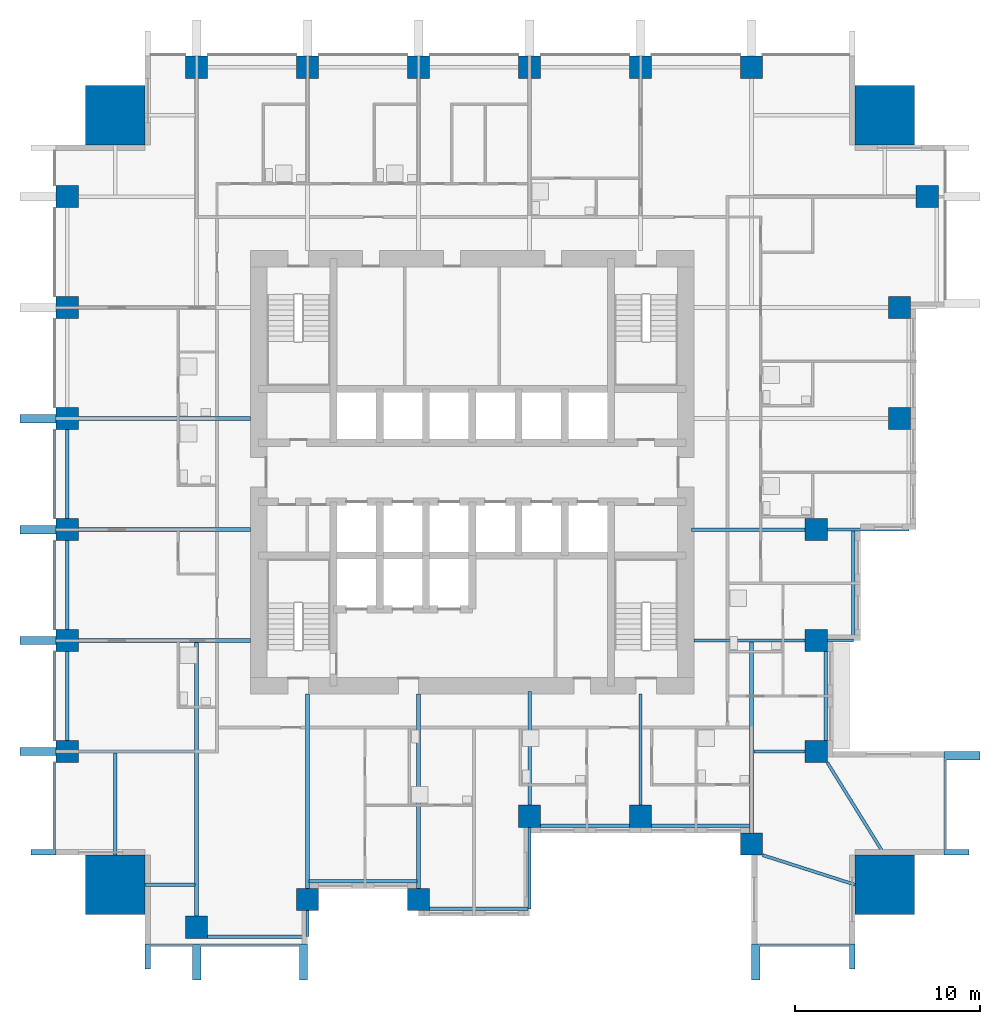
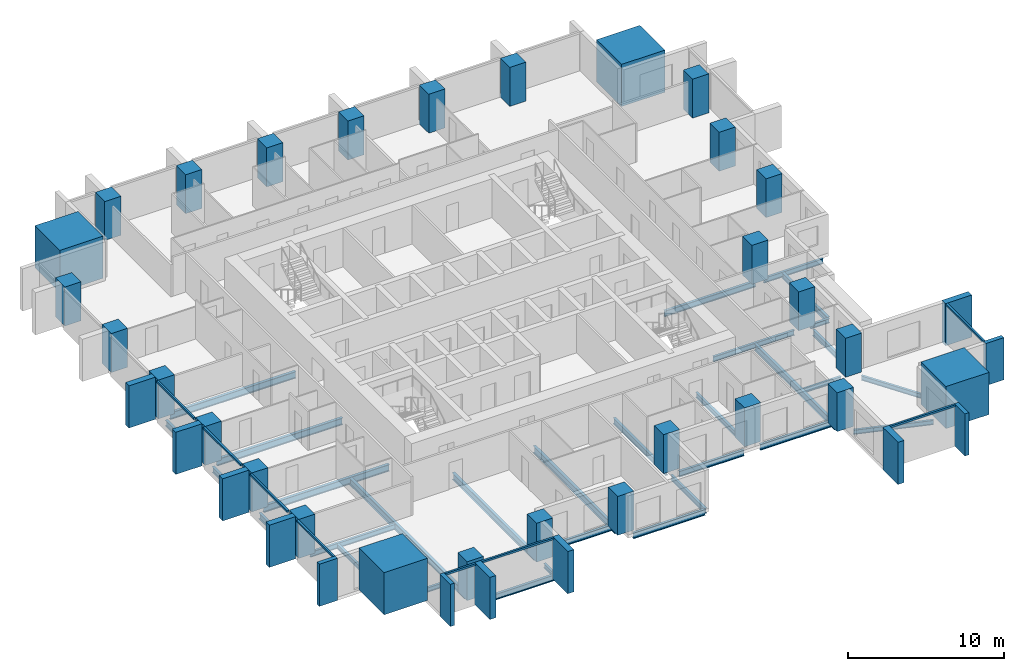
# One storey, part 1 of 10: 31 beams, 28 columns, 20 members, 4 elements without a shape of their own.
"""IFC4 building model written with IfcOpenShell, lengths in metres."""

from ifc_helpers import new_model, si_unit, direction, frame, origin, origin_2d, place, context, subcontext, project, spatial, rectangle, i_section, extrude, material, material_profile, profile_set, type_object, element, aggregate, save


model = new_model("IFC4")

# Units and contexts
model_context = context("Model", 3, precision=1e-05, world=origin(), true_north=direction((0.0, 1.0)))
body_context = subcontext(model_context, "Body", "Model", "MODEL_VIEW")
ifc_project = project(units=[si_unit("LENGTHUNIT", "METRE"), si_unit("AREAUNIT", "SQUARE_METRE"), si_unit("VOLUMEUNIT", "CUBIC_METRE"), si_unit("PLANEANGLEUNIT", "RADIAN"), si_unit("MASSUNIT", "GRAM", prefix="KILO")], contexts=[model_context])

# Site, building, storey
site_placement = place(None, origin())
site = spatial("IfcSite", under=ifc_project, at=site_placement, CompositionType="ELEMENT")
building_placement = place(site_placement, origin())
building = spatial("IfcBuilding", under=site, at=building_placement, Name="Amberfall Residences", CompositionType="ELEMENT")
storey_placement = place(building_placement, frame((0.0, 0.0, 46.60009765625)))
storey = spatial("IfcBuildingStorey", under=building, at=storey_placement, Name="L12", CompositionType="ELEMENT", Elevation=46.60009765625)

# Columns
ifc_material_1 = material(Name="Concrete C80", Category="concrete")
ifc_material_profile_1 = material_profile(ifc_material_1, rectangle(XDim=1.199951171875, YDim=1.199951171875, at=origin_2d()), Name="Column 1200 x 1200 C80")
ifc_profile_set_1 = profile_set([ifc_material_profile_1], Name="Concrete C80")
column_type_1 = type_object("IfcColumnType", Name="Column 1200 x 1200 C80", PredefinedType="COLUMN", material=ifc_profile_set_1)
for number, where, z_axis, x_axis, name in (
    (1, (59.60009765625, 20.89990234375, 0.0), (0.0, 0.0, 1.0), (1.0, 0.0, 0.0), "Column C1 L12 S1"),
    (2, (65.60009765625, 22.39990234375, 0.0), (0.0, 0.0, 1.0), (1.0, 0.0, 0.0), "Column C1 L12 S2"),
    (3, (71.60009765625, 22.39990234375, 0.0), (0.0, 0.0, 1.0), (1.0, 0.0, 0.0), "Column C1 L12 S3"),
    (4, (77.60009765625, 26.89990234375, 0.0), (0.0, 0.0, 1.0), (1.0, 0.0, 0.0), "Column C1 L12 S4"),
    (5, (83.60009765625, 26.89990234375, 0.0), (0.0, 0.0, 1.0), (1.0, 0.0, 0.0), "Column C1 L12 S5"),
    (6, (89.60009765625, 25.39990234375, 0.0), (0.0, 0.0, 1.0), (1.0, 0.0, 0.0), "Column C1 L12 S6"),
    (7, (93.10009765625, 30.39990234375, 0.0), (0.0, 0.0, 1.0), (1.0, 0.0, 0.0), "Column C1 L12 E1"),
    (8, (93.10009765625, 36.39990234375, 0.0), (0.0, 0.0, 1.0), (1.0, 0.0, 0.0), "Column C1 L12 E2"),
    (9, (93.10009765625, 42.39990234375, 0.0), (0.0, 0.0, 1.0), (1.0, 0.0, 0.0), "Column C1 L12 E3"),
    (10, (97.60009765625, 48.39990234375, 0.0), (0.0, 0.0, 1.0), (1.0, 0.0, 0.0), "Column C1 L12 E4"),
    (11, (97.60009765625, 54.39990234375, 0.0), (0.0, 0.0, 1.0), (1.0, 0.0, 0.0), "Column C1 L12 E5"),
    (12, (99.10009765625, 60.39990234375, 0.0), (0.0, 0.0, 1.0), (1.0, 0.0, 0.0), "Column C1 L12 E6"),
    (13, (59.60009765625, 67.39990234375, 0.0), (0.0, 0.0, 1.0), (1.0, 0.0, 0.0), "Column C1 L12 N1"),
    (14, (65.60009765625, 67.39990234375, 0.0), (0.0, 0.0, 1.0), (1.0, 0.0, 0.0), "Column C1 L12 N2"),
    (15, (71.60009765625, 67.39990234375, 0.0), (0.0, 0.0, 1.0), (1.0, 0.0, 0.0), "Column C1 L12 N3"),
    (16, (77.60009765625, 67.39990234375, 0.0), (0.0, 0.0, 1.0), (1.0, 0.0, 0.0), "Column C1 L12 N4"),
    (17, (83.60009765625, 67.39990234375, 0.0), (0.0, 0.0, 1.0), (1.0, 0.0, 0.0), "Column C1 L12 N5"),
    (18, (89.60009765625, 67.39990234375, 0.0), (0.0, 0.0, 1.0), (1.0, 0.0, 0.0), "Column C1 L12 N6"),
    (19, (52.60009765625, 30.39990234375, 0.0), (0.0, 0.0, 1.0), (1.0, 0.0, 0.0), "Column C1 L12 W1"),
    (20, (52.60009765625, 36.39990234375, 0.0), (0.0, 0.0, 1.0), (1.0, 0.0, 0.0), "Column C1 L12 W2"),
    (21, (52.60009765625, 42.39990234375, 0.0), (0.0, 0.0, 1.0), (1.0, 0.0, 0.0), "Column C1 L12 W3"),
    (22, (52.60009765625, 48.39990234375, 0.0), (0.0, 0.0, 1.0), (1.0, 0.0, 0.0), "Column C1 L12 W4"),
    (23, (52.60009765625, 54.39990234375, 0.0), (0.0, 0.0, 1.0), (1.0, 0.0, 0.0), "Column C1 L12 W5"),
    (24, (52.60009765625, 60.39990234375, 0.0), (0.0, 0.0, 1.0), (1.0, 0.0, 0.0), "Column C1 L12 W6"),
):
    element("IfcColumn", number, at=place(storey_placement, frame(where, z_axis=z_axis, x_axis=x_axis)), inside=storey, type_object=column_type_1, Name=name, PredefinedType="COLUMN", context=body_context, shape_type="SweptSolid", body=[
        extrude(rectangle(XDim=1.199951171875, YDim=1.199951171875, at=origin_2d()), origin(), (0.0, 0.0, 1.0), 3.0498046875),
    ])
ifc_material_profile_2 = material_profile(ifc_material_1, rectangle(XDim=3.199951171875, YDim=3.199951171875, at=origin_2d()), Name="Mega column 3200 x 3200 C80")
ifc_profile_set_2 = profile_set([ifc_material_profile_2], Name="Concrete C80")
column_type_2 = type_object("IfcColumnType", Name="Mega column 3200 x 3200 C80", PredefinedType="COLUMN", material=ifc_profile_set_2)
for number, where, z_axis, x_axis, name in (
    (25, (55.199951171875, 23.199951171875, 0.0), (0.0, 0.0, 1.0), (1.0, 0.0, 0.0), "Mega column MC1 L12 SW"),
    (26, (96.800048828125, 23.199951171875, 0.0), (0.0, 0.0, 1.0), (1.0, 0.0, 0.0), "Mega column MC1 L12 SE"),
    (27, (96.800048828125, 64.800048828125, 0.0), (0.0, 0.0, 1.0), (1.0, 0.0, 0.0), "Mega column MC1 L12 NE"),
    (28, (55.199951171875, 64.800048828125, 0.0), (0.0, 0.0, 1.0), (1.0, 0.0, 0.0), "Mega column MC1 L12 NW"),
):
    element("IfcColumn", number, at=place(storey_placement, frame(where, z_axis=z_axis, x_axis=x_axis)), inside=storey, type_object=column_type_2, Name=name, PredefinedType="COLUMN", context=body_context, shape_type="SweptSolid", body=[
        extrude(rectangle(XDim=3.199951171875, YDim=3.199951171875, at=origin_2d()), origin(), (0.0, 0.0, 1.0), 3.2998046875),
    ])

# Curtain wall, members
ifc_material_2 = material(Name="Bronze anodised aluminium and glass", Category="aluminium")
curtain_wall_type = type_object("IfcCurtainWallType", Name="Curtain wall CW1 tower unit", PredefinedType="USERDEFINED", material=ifc_material_2)
curtain_wall_1_placement = place(storey_placement, origin())
curtain_wall_1 = element("IfcCurtainWall", 29, at=curtain_wall_1_placement, inside=storey, type_object=curtain_wall_type, Name="Curtain wall L12 S S1", ObjectType="UNITISED CURTAIN WALL", PredefinedType="USERDEFINED")
ifc_material_3 = material(Name="Bronze anodised aluminium", Category="aluminium")
ifc_material_profile_3 = material_profile(ifc_material_3, rectangle(XDim=0.14990234375, YDim=0.14990234375, at=origin_2d()), Name="CW1 transom 150 x 150 bronze")
ifc_profile_set_3 = profile_set([ifc_material_profile_3], Name="Bronze anodised aluminium")
member_type_1 = type_object("IfcMemberType", Name="CW1 transom 150 x 150 bronze", PredefinedType="USERDEFINED", material=ifc_profile_set_3)
member_1_placement = place(storey_placement, frame((57.10009765625, 19.925048828125, 2.974853515625), z_axis=(1.0, 0.0, 0.0), x_axis=(0.0, 1.0, 0.0)))
member_1 = element("IfcMember", 30, at=member_1_placement, type_object=member_type_1, Name="CW1 transom 1.1", ObjectType="TRANSOM", PredefinedType="USERDEFINED", context=body_context, shape_type="SweptSolid", body=[
    extrude(rectangle(XDim=0.14990234375, YDim=0.14990234375, at=origin_2d()), origin(), (0.0, 0.0, 1.0), 2.27490234375),
])
member_2_placement = place(storey_placement, frame((59.824951171875, 19.925048828125, 2.974853515625), z_axis=(1.0, 0.0, 0.0), x_axis=(0.0, 1.0, 0.0)))
member_2 = element("IfcMember", 31, at=member_2_placement, type_object=member_type_1, Name="CW1 transom 2.1", ObjectType="TRANSOM", PredefinedType="USERDEFINED", context=body_context, shape_type="SweptSolid", body=[
    extrude(rectangle(XDim=0.14990234375, YDim=0.14990234375, at=origin_2d()), origin(), (0.0, 0.0, 1.0), 5.324951171875),
])

# Curtain wall, member
curtain_wall_2_placement = place(storey_placement, origin())
curtain_wall_2 = element("IfcCurtainWall", 32, at=curtain_wall_2_placement, inside=storey, type_object=curtain_wall_type, Name="Curtain wall L12 S S10", ObjectType="UNITISED CURTAIN WALL", PredefinedType="USERDEFINED")
member_3_placement = place(storey_placement, frame((90.050048828125, 19.925048828125, 2.974853515625), z_axis=(1.0, 0.0, 0.0), x_axis=(0.0, 1.0, 0.0)))
member_3 = element("IfcMember", 33, at=member_3_placement, type_object=member_type_1, Name="CW1 transom 1.1", ObjectType="TRANSOM", PredefinedType="USERDEFINED", context=body_context, shape_type="SweptSolid", body=[
    extrude(rectangle(XDim=0.14990234375, YDim=0.14990234375, at=origin_2d()), origin(), (0.0, 0.0, 1.0), 4.849853515625),
])

curtain_wall_3_placement = place(storey_placement, origin())
curtain_wall_3 = element("IfcCurtainWall", 34, at=curtain_wall_3_placement, inside=storey, type_object=curtain_wall_type, Name="Curtain wall L12 E E1", ObjectType="UNITISED CURTAIN WALL", PredefinedType="USERDEFINED")
member_4_placement = place(storey_placement, frame((100.074951171875, 25.10009765625, 2.974853515625), z_axis=(0.0, 1.0, 0.0), x_axis=(-1.0, 0.0, 0.0)))
member_4 = element("IfcMember", 35, at=member_4_placement, type_object=member_type_1, Name="CW1 transom 1.1", ObjectType="TRANSOM", PredefinedType="USERDEFINED", context=body_context, shape_type="SweptSolid", body=[
    extrude(rectangle(XDim=0.14990234375, YDim=0.14990234375, at=origin_2d()), origin(), (0.0, 0.0, 1.0), 4.849853515625),
])

# Curtain wall, members
curtain_wall_4_placement = place(storey_placement, origin())
curtain_wall_4 = element("IfcCurtainWall", 36, at=curtain_wall_4_placement, inside=storey, type_object=curtain_wall_type, Name="Curtain wall L12 W W1", ObjectType="UNITISED CURTAIN WALL", PredefinedType="USERDEFINED")
member_5_placement = place(storey_placement, frame((51.925048828125, 47.794921875, 2.974853515625), z_axis=(0.0, -1.0, 0.0), x_axis=(1.0, 0.0, 0.0)))
member_5 = element("IfcMember", 37, at=member_5_placement, type_object=member_type_1, Name="CW1 transom 4.1", ObjectType="TRANSOM", PredefinedType="USERDEFINED", context=body_context, shape_type="SweptSolid", body=[
    extrude(rectangle(XDim=0.14990234375, YDim=0.14990234375, at=origin_2d()), origin(), (0.0, 0.0, 1.0), 4.7900390625),
])
member_6_placement = place(storey_placement, frame((51.925048828125, 41.794921875, 2.974853515625), z_axis=(0.0, -1.0, 0.0), x_axis=(1.0, 0.0, 0.0)))
member_6 = element("IfcMember", 38, at=member_6_placement, type_object=member_type_1, Name="CW1 transom 5.1", ObjectType="TRANSOM", PredefinedType="USERDEFINED", context=body_context, shape_type="SweptSolid", body=[
    extrude(rectangle(XDim=0.14990234375, YDim=0.14990234375, at=origin_2d()), origin(), (0.0, 0.0, 1.0), 4.7900390625),
])
member_7_placement = place(storey_placement, frame((51.925048828125, 35.794921875, 2.974853515625), z_axis=(0.0, -1.0, 0.0), x_axis=(1.0, 0.0, 0.0)))
member_7 = element("IfcMember", 39, at=member_7_placement, type_object=member_type_1, Name="CW1 transom 6.1", ObjectType="TRANSOM", PredefinedType="USERDEFINED", context=body_context, shape_type="SweptSolid", body=[
    extrude(rectangle(XDim=0.14990234375, YDim=0.14990234375, at=origin_2d()), origin(), (0.0, 0.0, 1.0), 4.7900390625),
])
member_8_placement = place(storey_placement, frame((51.925048828125, 29.794921875, 2.974853515625), z_axis=(0.0, -1.0, 0.0), x_axis=(1.0, 0.0, 0.0)))
member_8 = element("IfcMember", 40, at=member_8_placement, type_object=member_type_1, Name="CW1 transom 7.1", ObjectType="TRANSOM", PredefinedType="USERDEFINED", context=body_context, shape_type="SweptSolid", body=[
    extrude(rectangle(XDim=0.14990234375, YDim=0.14990234375, at=origin_2d()), origin(), (0.0, 0.0, 1.0), 4.69482421875),
])

# Beams
ifc_material_4 = material(Name="Steel S355", Category="steel")
ifc_material_profile_4 = material_profile(ifc_material_4, i_section(OverallWidth=0.171142578125, OverallDepth=0.351318359375, WebThickness=0.007080078125, FlangeThickness=0.009765625, FilletRadius=0.01025390625, at=origin_2d()), Name="UB 356x171x45")
ifc_profile_set_4 = profile_set([ifc_material_profile_4], Name="Steel S355")
beam_type_1 = type_object("IfcBeamType", Name="Cantilever girder UB 356x171x45", PredefinedType="BEAM", material=ifc_profile_set_4)
for number, where, z_axis, x_axis, name in (
    (41, (65.60009765625, 21.800048828125, -0.42578125), (0.0, -1.0, 0.0), (1.0, 0.0, 0.0), "Cantilever girder B8 L12 06"),
    (42, (93.699951171875, 36.39990234375, -0.42578125), (1.0, 0.0, 0.0), (0.0, 1.0, 0.0), "Cantilever girder B8 L12 19"),
):
    element("IfcBeam", number, at=place(storey_placement, frame(where, z_axis=z_axis, x_axis=x_axis)), inside=storey, type_object=beam_type_1, Name=name, PredefinedType="BEAM", context=body_context, shape_type="SweptSolid", body=[
        extrude(i_section(OverallWidth=0.171142578125, OverallDepth=0.351318359375, WebThickness=0.007080078125, FlangeThickness=0.009765625, FilletRadius=0.01025390625, at=origin_2d()), origin(), (0.0, 0.0, 1.0), 1.400146484375),
    ])
ifc_material_profile_5 = material_profile(ifc_material_4, i_section(OverallWidth=0.177734375, OverallDepth=0.402587890625, WebThickness=0.0078125, FlangeThickness=0.010986328125, FilletRadius=0.01025390625, at=origin_2d()), Name="UB 406x178x54")
ifc_profile_set_5 = profile_set([ifc_material_profile_5], Name="Steel S355")
beam_type_2 = type_object("IfcBeamType", Name="Cantilever girder UB 406x178x54", PredefinedType="BEAM", material=ifc_profile_set_5)
for number, where, z_axis, x_axis, name in (
    (43, (77.60009765625, 26.300048828125, -0.451416015625), (0.0, -1.0, 0.0), (1.0, 0.0, 0.0), "Cantilever girder B9 L12 07"),
    (44, (93.699951171875, 42.39990234375, -0.451416015625), (1.0, 0.0, 0.0), (0.0, 1.0, 0.0), "Cantilever girder B9 L12 20"),
):
    element("IfcBeam", number, at=place(storey_placement, frame(where, z_axis=z_axis, x_axis=x_axis)), inside=storey, type_object=beam_type_2, Name=name, PredefinedType="BEAM", context=body_context, shape_type="SweptSolid", body=[
        extrude(i_section(OverallWidth=0.177734375, OverallDepth=0.402587890625, WebThickness=0.0078125, FlangeThickness=0.010986328125, FilletRadius=0.01025390625, at=origin_2d()), origin(), (0.0, 0.0, 1.0), 4.400146484375),
    ])

# Member
ifc_material_profile_6 = material_profile(ifc_material_3, rectangle(XDim=1.35009765625, YDim=0.300048828125, at=origin_2d()), Name="Corner fin 300 x 1350 bronze")
ifc_profile_set_6 = profile_set([ifc_material_profile_6], Name="Bronze anodised aluminium")
member_type_2 = type_object("IfcMemberType", Name="Corner fin 300 x 1350 bronze", PredefinedType="MULLION", material=ifc_profile_set_6)
member_9_placement = place(storey_placement, frame((56.949951171875, 19.324951171875, -0.25), z_axis=(0.0, 0.0, 1.0), x_axis=(0.0, 1.0, 0.0)))
member_9 = element("IfcMember", 45, at=member_9_placement, type_object=member_type_2, Name="CW FIN 1", PredefinedType="MULLION", context=body_context, shape_type="SweptSolid", body=[
    extrude(rectangle(XDim=1.35009765625, YDim=0.300048828125, at=origin_2d()), origin(), (0.0, 0.0, 1.0), 3.2998046875),
])

member_10_placement = place(storey_placement, frame((95.050048828125, 19.324951171875, -0.25), z_axis=(0.0, 0.0, 1.0), x_axis=(0.0, 1.0, 0.0)))
member_10 = element("IfcMember", 46, at=member_10_placement, type_object=member_type_2, Name="CW FIN 2", PredefinedType="MULLION", context=body_context, shape_type="SweptSolid", body=[
    extrude(rectangle(XDim=1.35009765625, YDim=0.300048828125, at=origin_2d()), origin(), (0.0, 0.0, 1.0), 3.2998046875),
])

member_11_placement = place(storey_placement, frame((100.675048828125, 24.949951171875, -0.25), z_axis=(0.0, 0.0, 1.0), x_axis=(-1.0, 0.0, 0.0)))
member_11 = element("IfcMember", 47, at=member_11_placement, type_object=member_type_2, Name="CW FIN 1", PredefinedType="MULLION", context=body_context, shape_type="SweptSolid", body=[
    extrude(rectangle(XDim=1.35009765625, YDim=0.300048828125, at=origin_2d()), origin(), (0.0, 0.0, 1.0), 3.2998046875),
])

member_12_placement = place(storey_placement, frame((51.324951171875, 24.949951171875, -0.25), z_axis=(0.0, 0.0, 1.0), x_axis=(1.0, 0.0, 0.0)))
member_12 = element("IfcMember", 48, at=member_12_placement, type_object=member_type_2, Name="CW FIN 8", PredefinedType="MULLION", context=body_context, shape_type="SweptSolid", body=[
    extrude(rectangle(XDim=1.35009765625, YDim=0.300048828125, at=origin_2d()), origin(), (0.0, 0.0, 1.0), 3.2998046875),
])

# Beams
ifc_material_profile_7 = material_profile(ifc_material_4, i_section(OverallWidth=0.18994140625, OverallDepth=0.453369140625, WebThickness=0.008544921875, FlangeThickness=0.0126953125, FilletRadius=0.01025390625, at=origin_2d()), Name="UB 457x191x67")
ifc_profile_set_7 = profile_set([ifc_material_profile_7], Name="Steel S355")
beam_type_3 = type_object("IfcBeamType", Name="Edge beam UB 457x191x67", PredefinedType="SPANDREL", material=ifc_profile_set_7)
beam_1_placement = place(storey_placement, frame((60.199951171875, 20.39990234375, -0.476806640625), z_axis=(1.0, 0.0, 0.0), x_axis=(0.0, 1.0, 0.0)))
element("IfcBeam", 49, at=beam_1_placement, inside=storey, type_object=beam_type_3, Name="Edge beam B1 L12 01", PredefinedType="SPANDREL", context=body_context, shape_type="SweptSolid", body=[
    extrude(i_section(OverallWidth=0.18994140625, OverallDepth=0.453369140625, WebThickness=0.008544921875, FlangeThickness=0.0126953125, FilletRadius=0.01025390625, at=origin_2d()), origin(), (0.0, 0.0, 1.0), 5.320068359375),
])
beam_2_placement = place(storey_placement, frame((65.679931640625, 23.39990234375, -0.476806640625), z_axis=(1.0, 0.0, 0.0), x_axis=(0.0, 1.0, 0.0)))
element("IfcBeam", 50, at=beam_2_placement, inside=storey, type_object=beam_type_3, Name="Edge beam B1 L12 02", PredefinedType="SPANDREL", context=body_context, shape_type="SweptSolid", body=[
    extrude(i_section(OverallWidth=0.18994140625, OverallDepth=0.453369140625, WebThickness=0.008544921875, FlangeThickness=0.0126953125, FilletRadius=0.01025390625, at=origin_2d()), origin(), (0.0, 0.0, 1.0), 5.840087890625),
])
beam_3_placement = place(storey_placement, frame((72.199951171875, 21.89990234375, -0.476806640625), z_axis=(1.0, 0.0, 0.0), x_axis=(0.0, 1.0, 0.0)))
element("IfcBeam", 51, at=beam_3_placement, inside=storey, type_object=beam_type_3, Name="Edge beam B1 L12 03", PredefinedType="SPANDREL", context=body_context, shape_type="SweptSolid", body=[
    extrude(i_section(OverallWidth=0.18994140625, OverallDepth=0.453369140625, WebThickness=0.008544921875, FlangeThickness=0.0126953125, FilletRadius=0.01025390625, at=origin_2d()), origin(), (0.0, 0.0, 1.0), 5.320068359375),
])
beam_4_placement = place(storey_placement, frame((78.199951171875, 26.39990234375, -0.476806640625), z_axis=(1.0, 0.0, 0.0), x_axis=(0.0, 1.0, 0.0)))
element("IfcBeam", 52, at=beam_4_placement, inside=storey, type_object=beam_type_3, Name="Edge beam B1 L12 04", PredefinedType="SPANDREL", context=body_context, shape_type="SweptSolid", body=[
    extrude(i_section(OverallWidth=0.18994140625, OverallDepth=0.453369140625, WebThickness=0.008544921875, FlangeThickness=0.0126953125, FilletRadius=0.01025390625, at=origin_2d()), origin(), (0.0, 0.0, 1.0), 4.800048828125),
])
beam_5_placement = place(storey_placement, frame((84.199951171875, 26.39990234375, -0.476806640625), z_axis=(1.0, 0.0, 0.0), x_axis=(0.0, 1.0, 0.0)))
element("IfcBeam", 53, at=beam_5_placement, inside=storey, type_object=beam_type_3, Name="Edge beam B1 L12 05", PredefinedType="SPANDREL", context=body_context, shape_type="SweptSolid", body=[
    extrude(i_section(OverallWidth=0.18994140625, OverallDepth=0.453369140625, WebThickness=0.008544921875, FlangeThickness=0.0126953125, FilletRadius=0.01025390625, at=origin_2d()), origin(), (0.0, 0.0, 1.0), 5.320068359375),
])
beam_6_placement = place(storey_placement, frame((93.60009765625, 31.0, -0.476806640625), z_axis=(0.0, 1.0, 0.0), x_axis=(-1.0, 0.0, 0.0)))
element("IfcBeam", 54, at=beam_6_placement, inside=storey, type_object=beam_type_3, Name="Edge beam B1 L12 14", PredefinedType="SPANDREL", context=body_context, shape_type="SweptSolid", body=[
    extrude(i_section(OverallWidth=0.18994140625, OverallDepth=0.453369140625, WebThickness=0.008544921875, FlangeThickness=0.0126953125, FilletRadius=0.01025390625, at=origin_2d()), origin(), (0.0, 0.0, 1.0), 4.800048828125),
])
beam_7_placement = place(storey_placement, frame((95.10009765625, 36.47998046875, -0.476806640625), z_axis=(0.0, 1.0, 0.0), x_axis=(-1.0, 0.0, 0.0)))
element("IfcBeam", 55, at=beam_7_placement, inside=storey, type_object=beam_type_3, Name="Edge beam B1 L12 15", PredefinedType="SPANDREL", context=body_context, shape_type="SweptSolid", body=[
    extrude(i_section(OverallWidth=0.18994140625, OverallDepth=0.453369140625, WebThickness=0.008544921875, FlangeThickness=0.0126953125, FilletRadius=0.01025390625, at=origin_2d()), origin(), (0.0, 0.0, 1.0), 5.840087890625),
])
for number, where, z_axis, x_axis, name in (
    (56, (52.60009765625, 31.0, -0.476806640625), (0.0, 1.0, 0.0), (-1.0, 0.0, 0.0), "Edge beam B1 L12 39"),
    (57, (52.60009765625, 37.0, -0.476806640625), (0.0, 1.0, 0.0), (-1.0, 0.0, 0.0), "Edge beam B1 L12 40"),
    (58, (52.60009765625, 43.0, -0.476806640625), (0.0, 1.0, 0.0), (-1.0, 0.0, 0.0), "Edge beam B1 L12 41"),
):
    element("IfcBeam", number, at=place(storey_placement, frame(where, z_axis=z_axis, x_axis=x_axis)), inside=storey, type_object=beam_type_3, Name=name, PredefinedType="SPANDREL", context=body_context, shape_type="SweptSolid", body=[
        extrude(i_section(OverallWidth=0.18994140625, OverallDepth=0.453369140625, WebThickness=0.008544921875, FlangeThickness=0.0126953125, FilletRadius=0.01025390625, at=origin_2d()), origin(), (0.0, 0.0, 1.0), 4.800048828125),
    ])

# Member
ifc_material_profile_8 = material_profile(ifc_material_3, rectangle(XDim=1.949951171875, YDim=0.449951171875, at=origin_2d()), Name="Fin 450 x 1950 bronze")
ifc_profile_set_8 = profile_set([ifc_material_profile_8], Name="Bronze anodised aluminium")
member_type_3 = type_object("IfcMemberType", Name="Fin 450 x 1950 bronze", PredefinedType="MULLION", material=ifc_profile_set_8)
member_13_placement = place(storey_placement, frame((59.60009765625, 19.02490234375, -0.25), z_axis=(0.0, 0.0, 1.0), x_axis=(0.0, 1.0, 0.0)))
member_13 = element("IfcMember", 59, at=member_13_placement, type_object=member_type_3, Name="CW FIN 2", PredefinedType="MULLION", context=body_context, shape_type="SweptSolid", body=[
    extrude(rectangle(XDim=1.949951171875, YDim=0.449951171875, at=origin_2d()), origin(), (0.0, 0.0, 1.0), 3.2998046875),
])

member_14_placement = place(storey_placement, frame((65.375, 19.02490234375, -0.25), z_axis=(0.0, 0.0, 1.0), x_axis=(0.0, 1.0, 0.0)))
member_14 = element("IfcMember", 60, at=member_14_placement, type_object=member_type_3, Name="CW FIN 3", PredefinedType="MULLION", context=body_context, shape_type="SweptSolid", body=[
    extrude(rectangle(XDim=1.949951171875, YDim=0.449951171875, at=origin_2d()), origin(), (0.0, 0.0, 1.0), 3.2998046875),
])

aggregate(curtain_wall_1, [member_9, member_13, member_14, member_1, member_2])

member_15_placement = place(storey_placement, frame((89.824951171875, 19.02490234375, -0.25), z_axis=(0.0, 0.0, 1.0), x_axis=(0.0, 1.0, 0.0)))
member_15 = element("IfcMember", 61, at=member_15_placement, type_object=member_type_3, Name="CW FIN 1", PredefinedType="MULLION", context=body_context, shape_type="SweptSolid", body=[
    extrude(rectangle(XDim=1.949951171875, YDim=0.449951171875, at=origin_2d()), origin(), (0.0, 0.0, 1.0), 3.2998046875),
])

aggregate(curtain_wall_2, [member_15, member_10, member_3])

member_16_placement = place(storey_placement, frame((100.97509765625, 30.175048828125, -0.25), z_axis=(0.0, 0.0, 1.0), x_axis=(-1.0, 0.0, 0.0)))
member_16 = element("IfcMember", 62, at=member_16_placement, type_object=member_type_3, Name="CW FIN 2", PredefinedType="MULLION", context=body_context, shape_type="SweptSolid", body=[
    extrude(rectangle(XDim=1.949951171875, YDim=0.449951171875, at=origin_2d()), origin(), (0.0, 0.0, 1.0), 3.2998046875),
])

aggregate(curtain_wall_3, [member_11, member_16, member_4])

member_17_placement = place(storey_placement, frame((51.02490234375, 48.39990234375, -0.25), z_axis=(0.0, 0.0, 1.0), x_axis=(1.0, 0.0, 0.0)))
member_17 = element("IfcMember", 63, at=member_17_placement, type_object=member_type_3, Name="CW FIN 4", PredefinedType="MULLION", context=body_context, shape_type="SweptSolid", body=[
    extrude(rectangle(XDim=1.949951171875, YDim=0.449951171875, at=origin_2d()), origin(), (0.0, 0.0, 1.0), 3.2998046875),
])

member_18_placement = place(storey_placement, frame((51.02490234375, 42.39990234375, -0.25), z_axis=(0.0, 0.0, 1.0), x_axis=(1.0, 0.0, 0.0)))
member_18 = element("IfcMember", 64, at=member_18_placement, type_object=member_type_3, Name="CW FIN 5", PredefinedType="MULLION", context=body_context, shape_type="SweptSolid", body=[
    extrude(rectangle(XDim=1.949951171875, YDim=0.449951171875, at=origin_2d()), origin(), (0.0, 0.0, 1.0), 3.2998046875),
])

member_19_placement = place(storey_placement, frame((51.02490234375, 36.39990234375, -0.25), z_axis=(0.0, 0.0, 1.0), x_axis=(1.0, 0.0, 0.0)))
member_19 = element("IfcMember", 65, at=member_19_placement, type_object=member_type_3, Name="CW FIN 6", PredefinedType="MULLION", context=body_context, shape_type="SweptSolid", body=[
    extrude(rectangle(XDim=1.949951171875, YDim=0.449951171875, at=origin_2d()), origin(), (0.0, 0.0, 1.0), 3.2998046875),
])

member_20_placement = place(storey_placement, frame((51.02490234375, 30.39990234375, -0.25), z_axis=(0.0, 0.0, 1.0), x_axis=(1.0, 0.0, 0.0)))
member_20 = element("IfcMember", 66, at=member_20_placement, type_object=member_type_3, Name="CW FIN 7", PredefinedType="MULLION", context=body_context, shape_type="SweptSolid", body=[
    extrude(rectangle(XDim=1.949951171875, YDim=0.449951171875, at=origin_2d()), origin(), (0.0, 0.0, 1.0), 3.2998046875),
])

aggregate(curtain_wall_4, [member_17, member_18, member_19, member_20, member_12, member_5, member_6, member_7, member_8])

# Beams
ifc_material_profile_9 = material_profile(ifc_material_4, i_section(OverallWidth=0.171142578125, OverallDepth=0.351318359375, WebThickness=0.007080078125, FlangeThickness=0.009765625, FilletRadius=0.01025390625, at=origin_2d()), Name="UB 356x171x45")
ifc_profile_set_9 = profile_set([ifc_material_profile_9], Name="Steel S355")
beam_type_4 = type_object("IfcBeamType", Name="Floor girder UB 356x171x45", PredefinedType="BEAM", material=ifc_profile_set_9)
beam_8_placement = place(storey_placement, frame((92.5, 30.39990234375, -0.42578125), z_axis=(-1.0, 0.0, 0.0), x_axis=(0.0, -1.0, 0.0)))
element("IfcBeam", 67, at=beam_8_placement, inside=storey, type_object=beam_type_4, Name="Floor girder B11 L12 22", PredefinedType="BEAM", context=body_context, shape_type="SweptSolid", body=[
    extrude(i_section(OverallWidth=0.171142578125, OverallDepth=0.351318359375, WebThickness=0.007080078125, FlangeThickness=0.009765625, FilletRadius=0.01025390625, at=origin_2d()), origin(), (0.0, 0.0, 1.0), 2.780029296875),
])
ifc_material_profile_10 = material_profile(ifc_material_4, i_section(OverallWidth=0.177734375, OverallDepth=0.402587890625, WebThickness=0.0078125, FlangeThickness=0.010986328125, FilletRadius=0.01025390625, at=origin_2d()), Name="UB 406x178x54")
ifc_profile_set_10 = profile_set([ifc_material_profile_10], Name="Steel S355")
beam_type_5 = type_object("IfcBeamType", Name="Floor girder UB 406x178x54", PredefinedType="BEAM", material=ifc_profile_set_10)
for number, where, z_axis, x_axis, name in (
    (68, (83.60009765625, 27.5, -0.451416015625), (0.0, 1.0, 0.0), (-1.0, 0.0, 0.0), "Floor girder B4 L12 12"),
    (69, (92.5, 36.39990234375, -0.451416015625), (-1.0, 0.0, 0.0), (0.0, -1.0, 0.0), "Floor girder B4 L12 23"),
):
    element("IfcBeam", number, at=place(storey_placement, frame(where, z_axis=z_axis, x_axis=x_axis)), inside=storey, type_object=beam_type_5, Name=name, PredefinedType="BEAM", context=body_context, shape_type="SweptSolid", body=[
        extrude(i_section(OverallWidth=0.177734375, OverallDepth=0.402587890625, WebThickness=0.0078125, FlangeThickness=0.010986328125, FilletRadius=0.01025390625, at=origin_2d()), origin(), (0.0, 0.0, 1.0), 6.0),
    ])
beam_9_placement = place(storey_placement, frame((53.199951171875, 30.39990234375, -0.451416015625), z_axis=(1.0, 0.0, 0.0), x_axis=(0.0, 1.0, 0.0)))
element("IfcBeam", 70, at=beam_9_placement, inside=storey, type_object=beam_type_5, Name="Floor girder B4 L12 44", PredefinedType="BEAM", context=body_context, shape_type="SweptSolid", body=[
    extrude(i_section(OverallWidth=0.177734375, OverallDepth=0.402587890625, WebThickness=0.0078125, FlangeThickness=0.010986328125, FilletRadius=0.01025390625, at=origin_2d()), origin(), (0.0, 0.0, 1.0), 6.280029296875),
])
ifc_material_profile_11 = material_profile(ifc_material_4, i_section(OverallWidth=0.19140625, OverallDepth=0.4599609375, WebThickness=0.010009765625, FlangeThickness=0.01611328125, FilletRadius=0.01025390625, at=origin_2d()), Name="UB 457x191x82")
ifc_profile_set_11 = profile_set([ifc_material_profile_11], Name="Steel S355")
beam_type_6 = type_object("IfcBeamType", Name="Floor girder UB 457x191x82", PredefinedType="BEAM", material=ifc_profile_set_11)
for number, where, z_axis, x_axis, name in (
    (71, (77.60009765625, 26.89990234375, -0.47998046875), (0.0, 1.0, 0.0), (-1.0, 0.0, 0.0), "Floor girder B10 L12 11"),
    (72, (93.10009765625, 42.39990234375, -0.47998046875), (-1.0, 0.0, 0.0), (0.0, -1.0, 0.0), "Floor girder B10 L12 24"),
):
    element("IfcBeam", number, at=place(storey_placement, frame(where, z_axis=z_axis, x_axis=x_axis)), inside=storey, type_object=beam_type_6, Name=name, PredefinedType="BEAM", context=body_context, shape_type="SweptSolid", body=[
        extrude(i_section(OverallWidth=0.19140625, OverallDepth=0.4599609375, WebThickness=0.010009765625, FlangeThickness=0.01611328125, FilletRadius=0.01025390625, at=origin_2d()), origin(), (0.0, 0.0, 1.0), 6.75),
    ])
ifc_material_profile_12 = material_profile(ifc_material_4, i_section(OverallWidth=0.210693359375, OverallDepth=0.53955078125, WebThickness=0.01171875, FlangeThickness=0.018798828125, FilletRadius=0.0126953125, at=origin_2d()), Name="UB 533x210x109")
ifc_profile_set_12 = profile_set([ifc_material_profile_12], Name="Steel S355")
beam_type_7 = type_object("IfcBeamType", Name="Floor girder UB 533x210x109", PredefinedType="BEAM", material=ifc_profile_set_12)
beam_10_placement = place(storey_placement, frame((59.60009765625, 21.5, -0.519775390625), z_axis=(0.0, 1.0, 0.0), x_axis=(-1.0, 0.0, 0.0)))
element("IfcBeam", 73, at=beam_10_placement, inside=storey, type_object=beam_type_7, Name="Floor girder B2 L12 08", PredefinedType="BEAM", context=body_context, shape_type="SweptSolid", body=[
    extrude(i_section(OverallWidth=0.210693359375, OverallDepth=0.53955078125, WebThickness=0.01171875, FlangeThickness=0.018798828125, FilletRadius=0.0126953125, at=origin_2d()), origin(), (0.0, 0.0, 1.0), 14.80029296875),
])
ifc_material_profile_13 = material_profile(ifc_material_4, i_section(OverallWidth=0.209228515625, OverallDepth=0.533203125, WebThickness=0.010009765625, FlangeThickness=0.015625, FilletRadius=0.0126953125, at=origin_2d()), Name="UB 533x210x92")
ifc_profile_set_13 = profile_set([ifc_material_profile_13], Name="Steel S355")
beam_type_8 = type_object("IfcBeamType", Name="Floor girder UB 533x210x92", PredefinedType="BEAM", material=ifc_profile_set_13)
for number, where, z_axis, x_axis, name in (
    (74, (65.60009765625, 23.0, -0.5166015625), (0.0, 1.0, 0.0), (-1.0, 0.0, 0.0), "Floor girder B3 L12 09"),
    (75, (71.60009765625, 23.0, -0.5166015625), (0.0, 1.0, 0.0), (-1.0, 0.0, 0.0), "Floor girder B3 L12 10"),
):
    element("IfcBeam", number, at=place(storey_placement, frame(where, z_axis=z_axis, x_axis=x_axis)), inside=storey, type_object=beam_type_8, Name=name, PredefinedType="BEAM", context=body_context, shape_type="SweptSolid", body=[
        extrude(i_section(OverallWidth=0.209228515625, OverallDepth=0.533203125, WebThickness=0.010009765625, FlangeThickness=0.015625, FilletRadius=0.0126953125, at=origin_2d()), origin(), (0.0, 0.0, 1.0), 10.5),
    ])
beam_11_placement = place(storey_placement, frame((89.60009765625, 26.0, -0.5166015625), z_axis=(0.0, 1.0, 0.0), x_axis=(-1.0, 0.0, 0.0)))
element("IfcBeam", 76, at=beam_11_placement, inside=storey, type_object=beam_type_8, Name="Floor girder B3 L12 13", PredefinedType="BEAM", context=body_context, shape_type="SweptSolid", body=[
    extrude(i_section(OverallWidth=0.209228515625, OverallDepth=0.533203125, WebThickness=0.010009765625, FlangeThickness=0.015625, FilletRadius=0.0126953125, at=origin_2d()), origin(), (0.0, 0.0, 1.0), 10.316162109375),
])
for number, where, z_axis, x_axis, name in (
    (77, (53.199951171875, 36.39990234375, -0.5166015625), (1.0, 0.0, 0.0), (0.0, 1.0, 0.0), "Floor girder B3 L12 45"),
    (78, (53.199951171875, 42.39990234375, -0.5166015625), (1.0, 0.0, 0.0), (0.0, 1.0, 0.0), "Floor girder B3 L12 46"),
    (79, (53.199951171875, 48.39990234375, -0.5166015625), (1.0, 0.0, 0.0), (0.0, 1.0, 0.0), "Floor girder B3 L12 47"),
):
    element("IfcBeam", number, at=place(storey_placement, frame(where, z_axis=z_axis, x_axis=x_axis)), inside=storey, type_object=beam_type_8, Name=name, PredefinedType="BEAM", context=body_context, shape_type="SweptSolid", body=[
        extrude(i_section(OverallWidth=0.209228515625, OverallDepth=0.533203125, WebThickness=0.010009765625, FlangeThickness=0.015625, FilletRadius=0.0126953125, at=origin_2d()), origin(), (0.0, 0.0, 1.0), 9.300048828125),
    ])
ifc_material_profile_14 = material_profile(ifc_material_4, i_section(OverallWidth=0.171142578125, OverallDepth=0.351318359375, WebThickness=0.007080078125, FlangeThickness=0.009765625, FilletRadius=0.01025390625, at=origin_2d()), Name="UB 356x171x45")
ifc_profile_set_14 = profile_set([ifc_material_profile_14], Name="Steel S355")
beam_type_9 = type_object("IfcBeamType", Name="Link beam UB 356x171x45", PredefinedType="BEAM", material=ifc_profile_set_14)
beam_12_placement = place(storey_placement, frame((56.800048828125, 23.199951171875, -0.42578125), z_axis=(1.0, 0.0, 0.0), x_axis=(0.0, 1.0, 0.0)))
element("IfcBeam", 80, at=beam_12_placement, inside=storey, type_object=beam_type_9, Name="Link beam B7 L12 50", PredefinedType="BEAM", context=body_context, shape_type="SweptSolid", body=[
    extrude(i_section(OverallWidth=0.171142578125, OverallDepth=0.351318359375, WebThickness=0.007080078125, FlangeThickness=0.009765625, FilletRadius=0.01025390625, at=origin_2d()), origin(), (0.0, 0.0, 1.0), 2.70458984375),
])
beam_13_placement = place(storey_placement, frame((55.199951171875, 24.800048828125, -0.42578125), z_axis=(0.0, 1.0, 0.0), x_axis=(-1.0, 0.0, 0.0)))
element("IfcBeam", 81, at=beam_13_placement, inside=storey, type_object=beam_type_9, Name="Link beam B7 L12 51", PredefinedType="BEAM", context=body_context, shape_type="SweptSolid", body=[
    extrude(i_section(OverallWidth=0.171142578125, OverallDepth=0.351318359375, WebThickness=0.007080078125, FlangeThickness=0.009765625, FilletRadius=0.01025390625, at=origin_2d()), origin(), (0.0, 0.0, 1.0), 5.521240234375),
])
beam_14_placement = place(storey_placement, frame((95.199951171875, 23.199951171875, -0.42578125), z_axis=(-0.952418747361, 0.304792601084, 0.0), x_axis=(-0.304792601084, -0.952418747361, 0.0)))
element("IfcBeam", 82, at=beam_14_placement, inside=storey, type_object=beam_type_9, Name="Link beam B7 L12 52", PredefinedType="BEAM", context=body_context, shape_type="SweptSolid", body=[
    extrude(i_section(OverallWidth=0.171142578125, OverallDepth=0.351318359375, WebThickness=0.007080078125, FlangeThickness=0.009765625, FilletRadius=0.01025390625, at=origin_2d()), origin(), (0.0, 0.0, 1.0), 5.249755859375),
])
beam_15_placement = place(storey_placement, frame((96.800048828125, 24.800048828125, -0.42578125), z_axis=(-0.526951659214, 0.849895257577, 0.0), x_axis=(-0.849895257577, -0.526951659214, 0.0)))
element("IfcBeam", 83, at=beam_15_placement, inside=storey, type_object=beam_type_9, Name="Link beam B7 L12 53", PredefinedType="BEAM", context=body_context, shape_type="SweptSolid", body=[
    extrude(i_section(OverallWidth=0.171142578125, OverallDepth=0.351318359375, WebThickness=0.007080078125, FlangeThickness=0.009765625, FilletRadius=0.01025390625, at=origin_2d()), origin(), (0.0, 0.0, 1.0), 5.883056640625),
])

save(model, "model.ifc")
